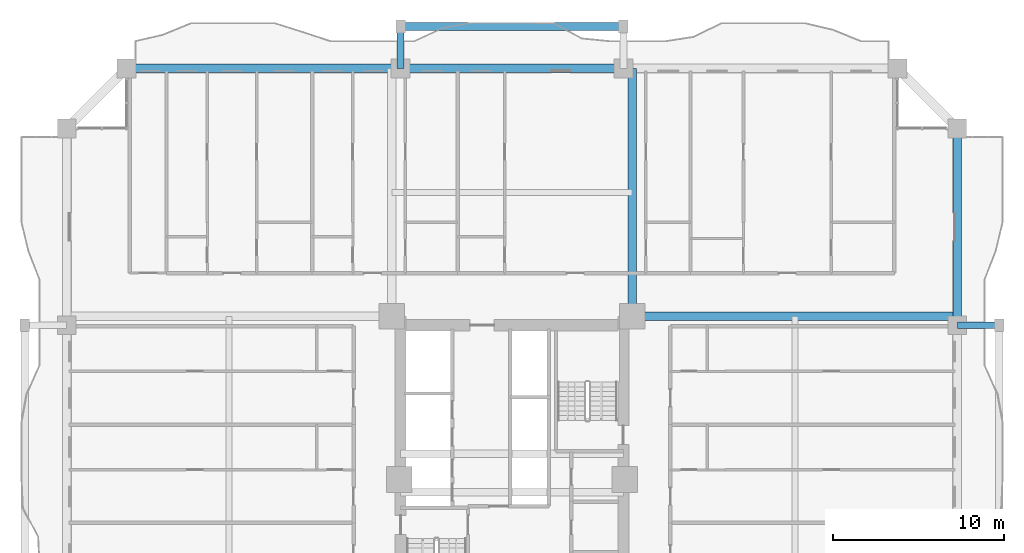
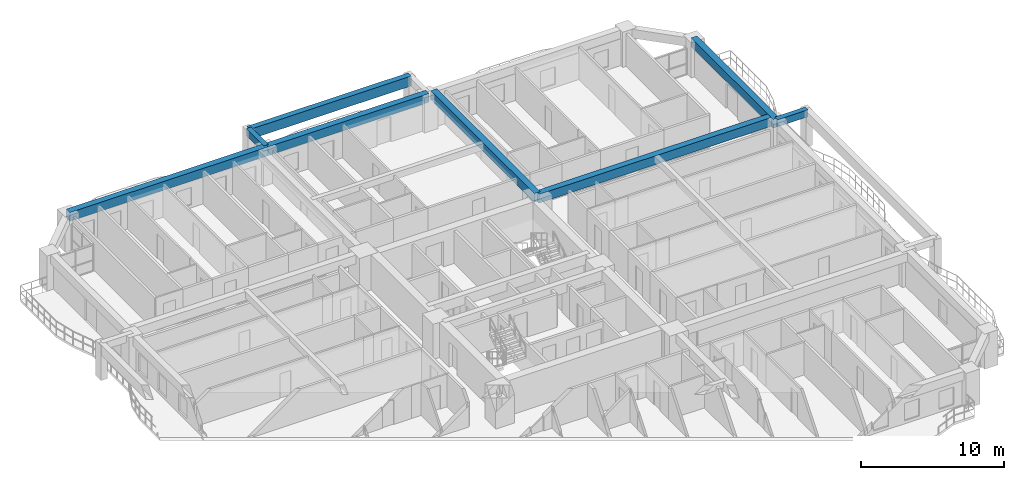
# One storey, part 9 of 28: 8 beams.
"""IFC4 building model written with IfcOpenShell, lengths in metres."""

from ifc_helpers import new_model, si_unit, direction, frame, origin, origin_2d, place, context, subcontext, project, spatial, rectangle, extrude, source, transform, mapped, material, material_profile, profile_set, type_object, element, save


model = new_model("IFC4")

# Units and contexts
model_context = context("Model", 3, precision=1e-05, world=origin(), true_north=direction((0.0, 1.0)))
body_context = subcontext(model_context, "Body", "Model", "MODEL_VIEW")
ifc_project = project(units=[si_unit("LENGTHUNIT", "METRE"), si_unit("AREAUNIT", "SQUARE_METRE"), si_unit("VOLUMEUNIT", "CUBIC_METRE"), si_unit("PLANEANGLEUNIT", "RADIAN"), si_unit("MASSUNIT", "GRAM", prefix="KILO")], contexts=[model_context])

# Site, building, storey
site_placement = place(None, origin())
site = spatial("IfcSite", under=ifc_project, at=site_placement, CompositionType="ELEMENT")
building_placement = place(site_placement, origin())
building = spatial("IfcBuilding", under=site, at=building_placement, Name="Saelheon Loggia Tower", CompositionType="ELEMENT")
storey_placement = place(building_placement, frame((0.0, 0.0, 61.39990234375)))
storey = spatial("IfcBuildingStorey", under=building, at=storey_placement, Name="L19", CompositionType="ELEMENT", Elevation=61.39990234375)

# Beams
ifc_material_1 = material(Name="Precast Concrete C45/55", Category="concrete")
ifc_material_profile_1 = material_profile(ifc_material_1, rectangle(XDim=0.449951171875, YDim=0.85009765625, at=origin_2d()), Name="RC-450x850")
ifc_profile_set_1 = profile_set([ifc_material_profile_1], Name="Precast Concrete C45/55")
beam_type_1 = type_object("IfcBeamType", Name="Beam_LoggiaSpandrel_RC450x850", PredefinedType="SPANDREL", material=ifc_profile_set_1)
shared_shape_1 = source(origin(), body_context, "Body", "SweptSolid", [
    extrude(rectangle(XDim=0.449951171875, YDim=0.85009765625, at=origin_2d()), origin(), (0.0, 0.0, 1.0), 13.0),
])
beam_1_placement = place(storey_placement, frame((31.5, 53.449951171875, 2.5751953125), z_axis=(1.0, 0.0, 0.0), x_axis=(0.0, 1.0, 0.0)))
element("IfcBeam", 1, at=beam_1_placement, inside=storey, type_object=beam_type_1, Name="L19 Loggia Spandrel Beam N", PredefinedType="SPANDREL", context=body_context, shape_type="MappedRepresentation", body=[
    mapped(shared_shape_1, transform((0.0, 0.0, 0.0), scale=1.0)),
])
ifc_material_2 = material(Name="Concrete C45/55", Category="concrete")
ifc_material_profile_2 = material_profile(ifc_material_2, rectangle(XDim=0.5, YDim=0.75, at=origin_2d()), Name="RC-500x750")
ifc_profile_set_2 = profile_set([ifc_material_profile_2], Name="Concrete C45/55")
beam_type_2 = type_object("IfcBeamType", Name="Beam_FloorGirder_RC500x750", PredefinedType="BEAM", material=ifc_profile_set_2)
shared_shape_2 = source(origin(), body_context, "Body", "SweptSolid", [
    extrude(rectangle(XDim=0.5, YDim=0.75, at=origin_2d()), origin(), (0.0, 0.0, 1.0), 14.47998046875),
])
beam_2_placement = place(storey_placement, frame((45.02001953125, 36.52001953125, 2.625), z_axis=(0.0, 1.0, 0.0), x_axis=(-1.0, 0.0, 0.0)))
element("IfcBeam", 2, at=beam_2_placement, inside=storey, type_object=beam_type_2, Name="L19 Radial Floor Girder RAD-NE-N", PredefinedType="BEAM", context=body_context, shape_type="MappedRepresentation", body=[
    mapped(shared_shape_2, transform((0.0, 0.0, 0.0), scale=1.0)),
])
ifc_material_profile_3 = material_profile(ifc_material_2, rectangle(XDim=0.5, YDim=0.75, at=origin_2d()), Name="RC-500x750")
ifc_profile_set_3 = profile_set([ifc_material_profile_3], Name="Concrete C45/55")
beam_type_3 = type_object("IfcBeamType", Name="Beam_PerimGirder_RC500x750", PredefinedType="BEAM", material=ifc_profile_set_3)
shared_shape_3 = source(origin(), body_context, "Body", "SweptSolid", [
    extrude(rectangle(XDim=0.5, YDim=0.75, at=origin_2d()), origin(), (0.0, 0.0, 1.0), 16.0),
])
beam_3_placement = place(storey_placement, frame((31.5, 51.0, 2.625), z_axis=(-1.0, 0.0, 0.0), x_axis=(0.0, -1.0, 0.0)))
element("IfcBeam", 3, at=beam_3_placement, inside=storey, type_object=beam_type_3, Name="L19 Perimeter Frame Girder 11", PredefinedType="BEAM", context=body_context, shape_type="MappedRepresentation", body=[
    mapped(shared_shape_3, transform((0.0, 0.0, 0.0), scale=1.0)),
])
shared_shape_4 = source(origin(), body_context, "Body", "SweptSolid", [
    extrude(rectangle(XDim=0.5, YDim=0.75, at=origin_2d()), origin(), (0.0, 0.0, 1.0), 13.0),
])
beam_4_placement = place(storey_placement, frame((44.5, 51.0, 2.625), z_axis=(-1.0, 0.0, 0.0), x_axis=(0.0, -1.0, 0.0)))
element("IfcBeam", 4, at=beam_4_placement, inside=storey, type_object=beam_type_3, Name="L19 Perimeter Frame Girder 10", PredefinedType="BEAM", context=body_context, shape_type="MappedRepresentation", body=[
    mapped(shared_shape_4, transform((0.0, 0.0, 0.0), scale=1.0)),
])
shared_shape_5 = source(origin(), body_context, "Body", "SweptSolid", [
    extrude(rectangle(XDim=0.5, YDim=0.75, at=origin_2d()), origin(), (0.0, 0.0, 1.0), 11.5),
])
beam_5_placement = place(storey_placement, frame((64.0, 36.0, 2.625), z_axis=(0.0, 1.0, 0.0), x_axis=(-1.0, 0.0, 0.0)))
element("IfcBeam", 5, at=beam_5_placement, inside=storey, type_object=beam_type_3, Name="L19 Perimeter Frame Girder 07", PredefinedType="BEAM", context=body_context, shape_type="MappedRepresentation", body=[
    mapped(shared_shape_5, transform((0.0, 0.0, 0.0), scale=1.0)),
])
shared_shape_6 = source(origin(), body_context, "Body", "SweptSolid", [
    extrude(rectangle(XDim=0.5, YDim=0.75, at=origin_2d()), origin(), (0.0, 0.0, 1.0), 18.97998046875),
])
beam_6_placement = place(storey_placement, frame((45.02001953125, 36.52001953125, 2.625), z_axis=(1.0, 0.0, 0.0), x_axis=(0.0, 1.0, 0.0)))
element("IfcBeam", 6, at=beam_6_placement, inside=storey, type_object=beam_type_2, Name="L19 Radial Floor Girder RAD-NE-E", PredefinedType="BEAM", context=body_context, shape_type="MappedRepresentation", body=[
    mapped(shared_shape_6, transform((0.0, 0.0, 0.0), scale=1.0)),
])
ifc_material_profile_4 = material_profile(ifc_material_1, rectangle(XDim=0.39990234375, YDim=0.60009765625, at=origin_2d()), Name="RC-400x600")
ifc_profile_set_4 = profile_set([ifc_material_profile_4], Name="Precast Concrete C45/55")
beam_type_4 = type_object("IfcBeamType", Name="Beam_LoggiaTie_RC400x600", PredefinedType="BEAM", material=ifc_profile_set_4)
shared_shape_7 = source(origin(), body_context, "Body", "SweptSolid", [
    extrude(rectangle(XDim=0.39990234375, YDim=0.60009765625, at=origin_2d()), origin(), (0.0, 0.0, 1.0), 2.449951171875),
])
for number, where, z_axis, x_axis, name in (
    (7, (31.5, 51.0, 2.7001953125), (0.0, 1.0, 0.0), (-1.0, 0.0, 0.0), "L19 Loggia Frame Tie Beam LP-N1"),
    (8, (64.0, 36.0, 2.7001953125), (1.0, 0.0, 0.0), (0.0, 1.0, 0.0), "L19 Loggia Frame Tie Beam LP-E2"),
):
    element("IfcBeam", number, at=place(storey_placement, frame(where, z_axis=z_axis, x_axis=x_axis)), inside=storey, type_object=beam_type_4, Name=name, PredefinedType="BEAM", context=body_context, shape_type="MappedRepresentation", body=[
        mapped(shared_shape_7, transform((0.0, 0.0, 0.0), scale=1.0)),
    ])

save(model, "model.ifc")
